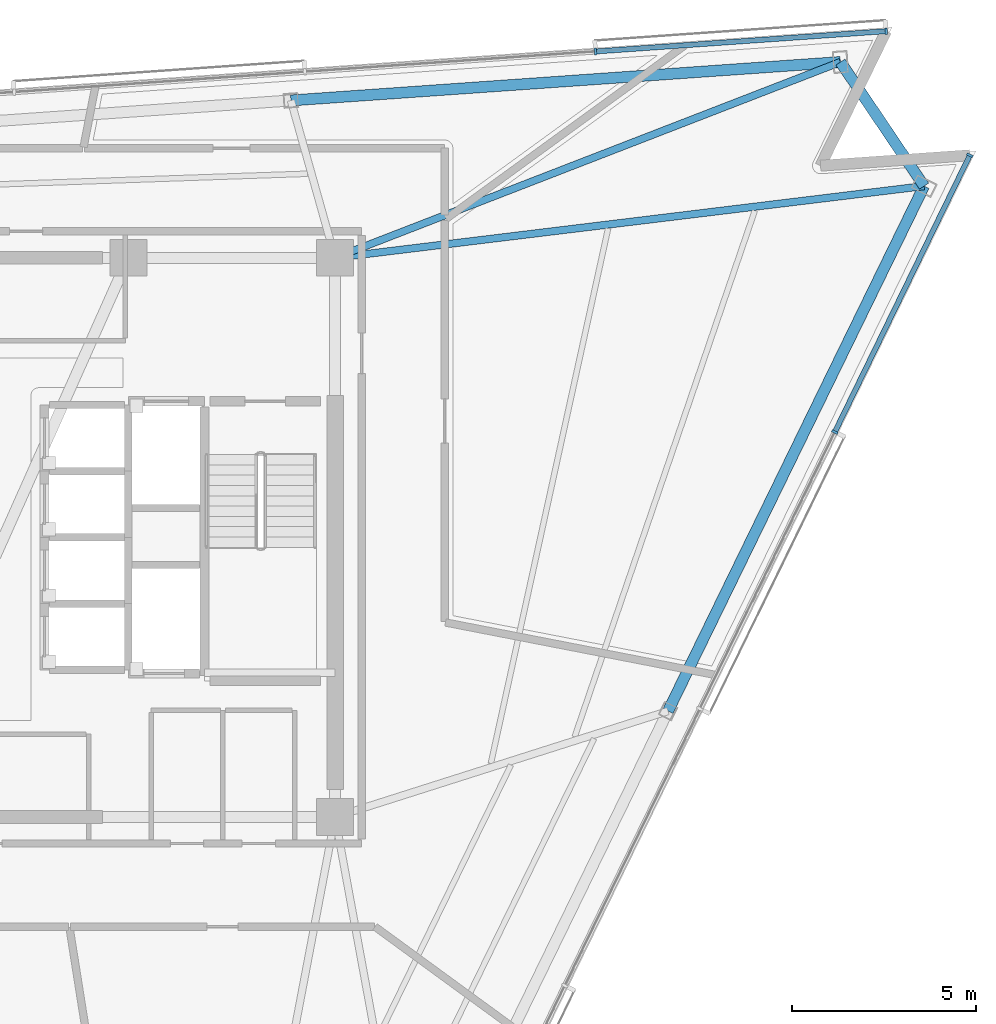
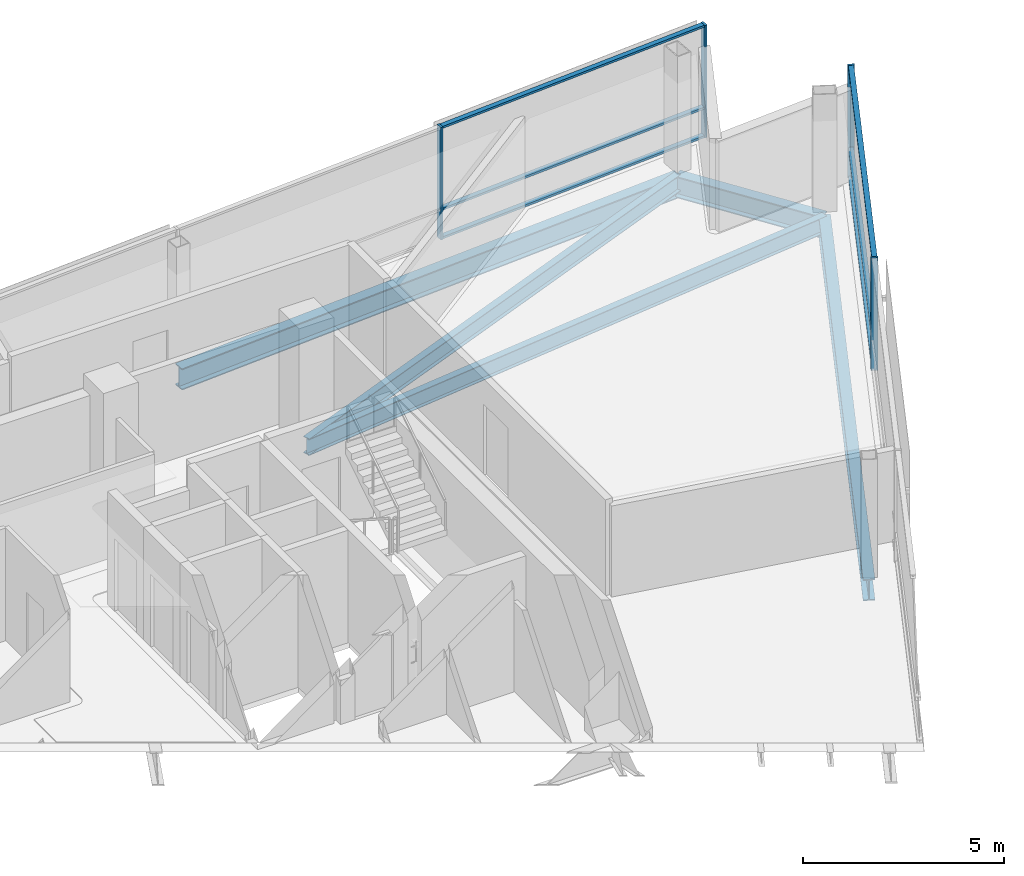
# One storey, part 7 of 15: 10 members, 5 beams, 2 elements without a shape of their own.
"""IFC4 building model written with IfcOpenShell, lengths in metres."""

import ifcopenshell
import ifcopenshell.guid

model = None  # the IFC model being written
_history = None  # IfcOwnerHistory: only IFC2X3 demands one
_inside = {}  # id of a spatial element -> (the spatial element, [elements in it])
_under = {}  # id of a project, library or spatial element -> (it, [spatial elements below it])
_declared = {}  # id of a project -> (the project, [libraries it declares])
_typed = {}  # id of a type object -> (the type object, [elements of that type])
_made_of = {}  # id of a material, layer set ... -> (it, [elements and type objects made of it])


def new_model(schema):
    """Start an empty IFC model of exactly this schema.

    Asked for "IFC4X3", IfcOpenShell would pick the latest addendum, in which some entities
    have other attributes; the version numbers below select the first issue.
    IFC2X3 requires an IfcOwnerHistory on every rooted entity: one is made here for all.
    """
    global model, _history
    if schema == "IFC4X3":
        model = ifcopenshell.file(schema_version=(4, 3, 0, 0))
    else:
        model = ifcopenshell.file(schema=schema)
    _inside.clear()
    _under.clear()
    _declared.clear()
    _typed.clear()
    _made_of.clear()
    _history = None
    if model.schema == "IFC2X3":
        org = make("IfcOrganization", Name="unknown")
        user = make(
            "IfcPersonAndOrganization",
            ThePerson=make("IfcPerson", FamilyName="unknown"),
            TheOrganization=org,
        )
        app = make(
            "IfcApplication",
            ApplicationDeveloper=org,
            Version="unknown",
            ApplicationFullName="unknown",
            ApplicationIdentifier="unknown",
        )
        _history = make(
            "IfcOwnerHistory",
            OwningUser=user,
            OwningApplication=app,
            ChangeAction="ADDED",
            CreationDate=0,
        )
    return model


def make(cls, **values):
    """One entity of the class cls with the attributes given. An attribute that is None is left unset."""
    return model.create_entity(
        cls, **{name: value for name, value in values.items() if value is not None}
    )


def rooted(cls, **values):
    """An entity with a GlobalId (a new one), such as an element, a storey or a relation."""
    return make(cls, GlobalId=ifcopenshell.guid.new(), OwnerHistory=_history, **values)


def si_unit(unit_type, name, prefix=None):
    """IfcSIUnit, for example si_unit("LENGTHUNIT", "METRE", prefix="MILLI")."""
    return make("IfcSIUnit", UnitType=unit_type, Prefix=prefix, Name=name)


def assignment(units):
    """IfcUnitAssignment: the units of a project."""
    return None if units is None else make("IfcUnitAssignment", Units=units)


def point(xyz):
    """IfcCartesianPoint."""
    return None if xyz is None else make("IfcCartesianPoint", Coordinates=xyz)


def direction(xyz):
    """IfcDirection."""
    return None if xyz is None else make("IfcDirection", DirectionRatios=xyz)


def frame(location, z_axis=None, x_axis=None):
    """IfcAxis2Placement3D, a coordinate frame: its origin and axes. An axis left out is left unset."""
    return make(
        "IfcAxis2Placement3D",
        Location=point(location),
        Axis=direction(z_axis),
        RefDirection=direction(x_axis),
    )


def frame_2d(location, x_axis=None):
    """IfcAxis2Placement2D, a coordinate frame in the plane: its origin and x axis."""
    return make(
        "IfcAxis2Placement2D", Location=point(location), RefDirection=direction(x_axis)
    )


def origin():
    """The frame at (0, 0, 0) with its axes left unset."""
    return frame((0.0, 0.0, 0.0))


def origin_2d():
    """The frame at (0, 0) in the plane with its x axis left unset."""
    return frame_2d((0.0, 0.0))


def place(relative_to, where):
    """IfcLocalPlacement: puts the frame where relative to a parent placement (None: the world)."""
    return make(
        "IfcLocalPlacement", PlacementRelTo=relative_to, RelativePlacement=where
    )


def context(
    kind, dimensions, precision=None, world=None, true_north=None, identifier=None
):
    """IfcGeometricRepresentationContext, for example the 3D "Model" context."""
    return make(
        "IfcGeometricRepresentationContext",
        ContextIdentifier=identifier,
        ContextType=kind,
        CoordinateSpaceDimension=dimensions,
        Precision=precision,
        WorldCoordinateSystem=world,
        TrueNorth=true_north,
    )


def subcontext(parent, identifier, kind, view, scale=None):
    """IfcGeometricRepresentationSubContext, for example "Body" below "Model"."""
    return make(
        "IfcGeometricRepresentationSubContext",
        ContextIdentifier=identifier,
        ContextType=kind,
        ParentContext=parent,
        TargetScale=scale,
        TargetView=view,
    )


def project(units=None, contexts=None):
    """IfcProject with its units and contexts."""
    return rooted(
        "IfcProject",
        Name="project",
        RepresentationContexts=contexts,
        UnitsInContext=assignment(units),
    )


def spatial(cls, under=None, at=None, **own):
    """A site, building, storey or space (cls), placed at a placement, below another one or the project."""
    s = rooted(cls, ObjectPlacement=at, **own)
    if under is not None:
        _under.setdefault(under.id(), (under, []))[1].append(s)
    return s


def profile(cls, at=None, kind="AREA", **sizes):
    """A parametric profile (cls). Its sizes go by their IFC names, for example OverallWidth=200.0."""
    return make(cls, ProfileType=kind, Position=at, **sizes)


def rectangle(**sizes):
    """IfcRectangleProfileDef."""
    return profile("IfcRectangleProfileDef", **sizes)


def i_section(**sizes):
    """IfcIShapeProfileDef."""
    return profile("IfcIShapeProfileDef", **sizes)


def extrude(swept, where, along, depth):
    """IfcExtrudedAreaSolid: the profile swept, set in the frame where, extruded along a direction by depth."""
    return make(
        "IfcExtrudedAreaSolid",
        SweptArea=swept,
        Position=where,
        ExtrudedDirection=direction(along),
        Depth=depth,
    )


def shape(context_of_items, identifier, shape_type, items):
    """IfcShapeRepresentation: the items that make up one representation, for example the "Body"."""
    return make(
        "IfcShapeRepresentation",
        ContextOfItems=context_of_items,
        RepresentationIdentifier=identifier,
        RepresentationType=shape_type,
        Items=items,
    )


def material(Name=None, Category=None):
    """IfcMaterial."""
    return make("IfcMaterial", Name=Name, Category=Category)


def layer(
    of_material, thickness, ventilated=None, Name=None, Category=None, Priority=None
):
    """IfcMaterialLayer: one layer of a wall or slab, of a material (None: an air gap)."""
    return make(
        "IfcMaterialLayer",
        Material=of_material,
        LayerThickness=thickness,
        IsVentilated=ventilated,
        Name=Name,
        Category=Category,
        Priority=Priority,
    )


def layer_set(layers, Name=None):
    """IfcMaterialLayerSet."""
    return make("IfcMaterialLayerSet", MaterialLayers=layers, LayerSetName=Name)


def material_profile(
    of_material, cross_section, Name=None, Category=None, Priority=None
):
    """IfcMaterialProfile: a cross section and its material."""
    return make(
        "IfcMaterialProfile",
        Name=Name,
        Material=of_material,
        Profile=cross_section,
        Priority=Priority,
        Category=Category,
    )


def profile_set(profiles, Name=None, composite=None):
    """IfcMaterialProfileSet."""
    return make(
        "IfcMaterialProfileSet",
        Name=Name,
        MaterialProfiles=profiles,
        CompositeProfile=composite,
    )


def made_of(thing, what):
    """Note that an element or type object is made of a material, layer set ...; save() writes the relation."""
    if what is not None:
        _made_of.setdefault(what.id(), (what, []))[1].append(thing)
    return thing


def type_object(cls, material=None, **own):
    """A type object (cls), such as IfcWallType, which elements share."""
    return made_of(rooted(cls, **own), material)


def element(
    cls,
    number,
    at=None,
    inside=None,
    cuts=None,
    type_object=None,
    material=None,
    context=None,
    identifier="Body",
    shape_type=None,
    held_by="IfcProductDefinitionShape",
    body=None,
    shapes=None,
    **own,
):
    """One element of the class cls, such as IfcWall. Its Tag is "e" and its number.

    at: its placement. inside: the storey or other place that contains it. cuts: it is an
    opening in that element (IfcRelVoidsElement). A single representation is given by context,
    identifier, shape_type and body (its items); several are given by shapes. held_by: the class
    of the entity that holds the representations. save() writes the other relations.
    """
    e = rooted(cls, Tag="e%d" % number, ObjectPlacement=at, **own)
    if body is not None:
        shapes = [shape(context, identifier, shape_type, body)]
    if shapes is not None:
        e.Representation = make(held_by, Representations=shapes)
    if inside is not None:
        _inside.setdefault(inside.id(), (inside, []))[1].append(e)
    if cuts is not None:
        rooted(
            "IfcRelVoidsElement", RelatingBuildingElement=cuts, RelatedOpeningElement=e
        )
    if type_object is not None:
        _typed.setdefault(type_object.id(), (type_object, []))[1].append(e)
    return made_of(e, material)


def aggregate(whole, parts):
    """IfcRelAggregates: a whole, such as a stair, and the parts it consists of."""
    return rooted("IfcRelAggregates", RelatingObject=whole, RelatedObjects=parts)


def save(model, path):
    """Write the relations noted so far, then the file.

    IfcRelAggregates (storeys below a building ...), IfcRelContainedInSpatialStructure (elements
    in a storey), IfcRelDefinesByType, IfcRelAssociatesMaterial and IfcRelDeclares: one each for
    every whole, place, type object, material and project.
    """
    for whole, parts in _under.values():
        aggregate(whole, parts)
    for where, things in _inside.values():
        rooted(
            "IfcRelContainedInSpatialStructure",
            RelatedElements=things,
            RelatingStructure=where,
        )
    for kind, things in _typed.values():
        rooted("IfcRelDefinesByType", RelatedObjects=things, RelatingType=kind)
    for what, things in _made_of.values():
        rooted("IfcRelAssociatesMaterial", RelatedObjects=things, RelatingMaterial=what)
    for by, libraries in _declared.values():
        rooted("IfcRelDeclares", RelatingContext=by, RelatedDefinitions=libraries)
    model.write(path)


model = new_model("IFC4")

# Units and contexts
model_context = context("Model", 3, precision=1e-05, world=origin(), true_north=direction((0.0, 1.0)))
body_context = subcontext(model_context, "Body", "Model", "MODEL_VIEW")
ifc_project = project(units=[si_unit("LENGTHUNIT", "METRE"), si_unit("AREAUNIT", "SQUARE_METRE"), si_unit("VOLUMEUNIT", "CUBIC_METRE"), si_unit("PLANEANGLEUNIT", "RADIAN"), si_unit("MASSUNIT", "GRAM", prefix="KILO")], contexts=[model_context])

# Site, building, storey
site_placement = place(None, origin())
site = spatial("IfcSite", under=ifc_project, at=site_placement, CompositionType="ELEMENT")
building_placement = place(site_placement, origin())
building = spatial("IfcBuilding", under=site, at=building_placement, Name="Tharavind Bronze Gate", CompositionType="ELEMENT")
storey_placement = place(building_placement, frame((0.0, 0.0, 267.800048828125)))
storey = spatial("IfcBuildingStorey", under=building, at=storey_placement, Name="L69", CompositionType="ELEMENT", Elevation=267.800048828125)

# Curtain wall, members
ifc_material_1 = material(Name="Anodised Bronze Aluminium", Category="aluminium")
ifc_layer = layer(ifc_material_1, 0.219970703125)
ifc_layer_set = layer_set([ifc_layer], Name="Anodised Bronze Aluminium")
curtain_wall_type = type_object("IfcCurtainWallType", Name="UNITISED CURTAIN WALL UPPER OFFICE", PredefinedType="USERDEFINED", material=ifc_layer_set)
curtain_wall_1_placement = place(storey_placement, origin())
curtain_wall_1 = element("IfcCurtainWall", 1, at=curtain_wall_1_placement, inside=storey, type_object=curtain_wall_type, Name="L69 unitised curtain wall upper office CW-L69-S2", ObjectType="UNITISED CURTAIN WALL", PredefinedType="USERDEFINED")
member_type_1 = type_object("IfcMemberType", Name="CURTAIN WALL BRONZE MULLION 65X180", PredefinedType="MULLION", material=ifc_material_1)
member_1_placement = place(storey_placement, frame((22.485107421875, 2.863525390625, 0.0), z_axis=(0.0, 0.0, 1.0), x_axis=(0.43837271548, 0.898793281196, 0.0)))
member_1 = element("IfcMember", 2, at=member_1_placement, type_object=member_type_1, Name="CW-L69-S2 mullion 6", PredefinedType="MULLION", context=body_context, shape_type="SweptSolid", body=[
    extrude(rectangle(XDim=0.06494140625, YDim=0.179931640625, at=origin_2d()), origin(), (0.0, 0.0, 1.0), 3.419921875),
])
member_2_placement = place(storey_placement, frame((26.1552734375, 10.388427734375, 0.0), z_axis=(0.0, 0.0, 1.0), x_axis=(0.43837271548, 0.898793281196, 0.0)))
member_2 = element("IfcMember", 3, at=member_2_placement, type_object=member_type_1, Name="CW-L69-S2 mullion 7", PredefinedType="MULLION", context=body_context, shape_type="SweptSolid", body=[
    extrude(rectangle(XDim=0.06494140625, YDim=0.179931640625, at=origin_2d()), origin(), (0.0, 0.0, 1.0), 3.419921875),
])

curtain_wall_2_placement = place(storey_placement, origin())
curtain_wall_2 = element("IfcCurtainWall", 4, at=curtain_wall_2_placement, inside=storey, type_object=curtain_wall_type, Name="L69 unitised curtain wall upper office CW-L69-S3", ObjectType="UNITISED CURTAIN WALL", PredefinedType="USERDEFINED")
member_3_placement = place(storey_placement, frame((23.880615234375, 13.760986328125, 0.0), z_axis=(0.0, 0.0, 1.0), x_axis=(-0.997563806758, -0.069759955899, 0.0)))
member_3 = element("IfcMember", 5, at=member_3_placement, type_object=member_type_1, Name="CW-L69-S3 mullion 1", PredefinedType="MULLION", context=body_context, shape_type="SweptSolid", body=[
    extrude(rectangle(XDim=0.06494140625, YDim=0.179931640625, at=origin_2d()), origin(), (0.0, 0.0, 1.0), 3.419921875),
])
member_4_placement = place(storey_placement, frame((15.9794921875, 13.20849609375, 0.0), z_axis=(0.0, 0.0, 1.0), x_axis=(-0.997563806758, -0.069759955899, 0.0)))
member_4 = element("IfcMember", 6, at=member_4_placement, type_object=member_type_1, Name="CW-L69-S3 mullion 2", PredefinedType="MULLION", context=body_context, shape_type="SweptSolid", body=[
    extrude(rectangle(XDim=0.06494140625, YDim=0.179931640625, at=origin_2d()), origin(), (0.0, 0.0, 1.0), 3.419921875),
])

# Member
member_type_2 = type_object("IfcMemberType", Name="CURTAIN WALL BRONZE TRANSOM 65X140", PredefinedType="USERDEFINED", material=ifc_material_1)
member_5_placement = place(storey_placement, frame((24.3203125, 6.6259765625, 0.0), z_axis=(0.0, 0.0, 1.0), x_axis=(0.43837271548, 0.898793281196, 0.0)))
member_5 = element("IfcMember", 7, at=member_5_placement, type_object=member_type_2, Name="CW-L69-S2 transom TB6", ObjectType="TRANSOM", PredefinedType="USERDEFINED", context=body_context, shape_type="SweptSolid", body=[
    extrude(rectangle(XDim=8.3193359375, YDim=0.139892578125, at=origin_2d()), origin(), (0.0, 0.0, 1.0), 0.06494140625),
])

member_6_placement = place(storey_placement, frame((24.3203125, 6.6259765625, 0.867431640625), z_axis=(0.0, 0.0, 1.0), x_axis=(0.43837271548, 0.898793281196, 0.0)))
member_6 = element("IfcMember", 8, at=member_6_placement, type_object=member_type_2, Name="CW-L69-S2 transom TS6", ObjectType="TRANSOM", PredefinedType="USERDEFINED", context=body_context, shape_type="SweptSolid", body=[
    extrude(rectangle(XDim=8.3193359375, YDim=0.139892578125, at=origin_2d()), origin(), (0.0, 0.0, 1.0), 0.06494140625),
])

member_7_placement = place(storey_placement, frame((24.3203125, 6.6259765625, 3.35498046875), z_axis=(0.0, 0.0, 1.0), x_axis=(0.43837271548, 0.898793281196, 0.0)))
member_7 = element("IfcMember", 9, at=member_7_placement, type_object=member_type_2, Name="CW-L69-S2 transom TT6", ObjectType="TRANSOM", PredefinedType="USERDEFINED", context=body_context, shape_type="SweptSolid", body=[
    extrude(rectangle(XDim=8.3193359375, YDim=0.139892578125, at=origin_2d()), origin(), (0.0, 0.0, 1.0), 0.06494140625),
])

aggregate(curtain_wall_1, [member_1, member_2, member_5, member_6, member_7])

member_8_placement = place(storey_placement, frame((19.929931640625, 13.48486328125, 0.0), z_axis=(0.0, 0.0, 1.0), x_axis=(-0.997563806758, -0.069759955899, 0.0)))
member_8 = element("IfcMember", 10, at=member_8_placement, type_object=member_type_2, Name="CW-L69-S3 transom TB1", ObjectType="TRANSOM", PredefinedType="USERDEFINED", context=body_context, shape_type="SweptSolid", body=[
    extrude(rectangle(XDim=7.8671875, YDim=0.139892578125, at=origin_2d()), origin(), (0.0, 0.0, 1.0), 0.06494140625),
])

member_9_placement = place(storey_placement, frame((19.929931640625, 13.48486328125, 0.867431640625), z_axis=(0.0, 0.0, 1.0), x_axis=(-0.997563806758, -0.069759955899, 0.0)))
member_9 = element("IfcMember", 11, at=member_9_placement, type_object=member_type_2, Name="CW-L69-S3 transom TS1", ObjectType="TRANSOM", PredefinedType="USERDEFINED", context=body_context, shape_type="SweptSolid", body=[
    extrude(rectangle(XDim=7.8671875, YDim=0.139892578125, at=origin_2d()), origin(), (0.0, 0.0, 1.0), 0.06494140625),
])

member_10_placement = place(storey_placement, frame((19.929931640625, 13.48486328125, 3.35498046875), z_axis=(0.0, 0.0, 1.0), x_axis=(-0.997563806758, -0.069759955899, 0.0)))
member_10 = element("IfcMember", 12, at=member_10_placement, type_object=member_type_2, Name="CW-L69-S3 transom TT1", ObjectType="TRANSOM", PredefinedType="USERDEFINED", context=body_context, shape_type="SweptSolid", body=[
    extrude(rectangle(XDim=7.8671875, YDim=0.139892578125, at=origin_2d()), origin(), (0.0, 0.0, 1.0), 0.06494140625),
])

aggregate(curtain_wall_2, [member_3, member_4, member_8, member_9, member_10])

# Beams
ifc_material_2 = material(Name="Steel S355", Category="steel")
ifc_material_profile_1 = material_profile(ifc_material_2, i_section(OverallWidth=0.300048828125, OverallDepth=0.64990234375, WebThickness=0.01611328125, FlangeThickness=0.031005859375, at=origin_2d()), Name="HE650B")
ifc_profile_set_1 = profile_set([ifc_material_profile_1], Name="Steel S355")
beam_type_1 = type_object("IfcBeamType", Name="PRIMARY GIRDER HE650B", PredefinedType="USERDEFINED", material=ifc_profile_set_1)
beam_1_placement = place(storey_placement, frame((17.950927734375, -4.721923828125, -0.505126953125), z_axis=(0.438366378116, 0.898796372121, 0.0), x_axis=(-0.898796372121, 0.438366378116, 0.0)))
element("IfcBeam", 13, at=beam_1_placement, inside=storey, type_object=beam_type_1, Name="L69 primary girder he650b BM-L69-PRG07", ObjectType="GIRDER", PredefinedType="USERDEFINED", context=body_context, shape_type="SweptSolid", body=[
    extrude(i_section(OverallWidth=0.300048828125, OverallDepth=0.64990234375, WebThickness=0.01611328125, FlangeThickness=0.031005859375, at=origin_2d()), origin(), (0.0, 0.0, 1.0), 15.878662109375),
])
beam_2_placement = place(storey_placement, frame((24.91162109375, 9.5498046875, -0.505126953125), z_axis=(-0.559165651986, 0.829055953262, 0.0), x_axis=(-0.829055953262, -0.559165651986, 0.0)))
element("IfcBeam", 14, at=beam_2_placement, inside=storey, type_object=beam_type_1, Name="L69 primary girder he650b BM-L69-PRG08", ObjectType="GIRDER", PredefinedType="USERDEFINED", context=body_context, shape_type="SweptSolid", body=[
    extrude(i_section(OverallWidth=0.300048828125, OverallDepth=0.64990234375, WebThickness=0.01611328125, FlangeThickness=0.031005859375, at=origin_2d()), origin(), (0.0, 0.0, 1.0), 4.06787109375),
])
beam_3_placement = place(storey_placement, frame((22.636962890625, 12.92236328125, -0.505126953125), z_axis=(-0.997563609873, -0.069762771286, 0.0), x_axis=(0.069762771286, -0.997563609873, 0.0)))
element("IfcBeam", 15, at=beam_3_placement, inside=storey, type_object=beam_type_1, Name="L69 primary girder he650b BM-L69-PRG09", ObjectType="GIRDER", PredefinedType="USERDEFINED", context=body_context, shape_type="SweptSolid", body=[
    extrude(i_section(OverallWidth=0.300048828125, OverallDepth=0.64990234375, WebThickness=0.01611328125, FlangeThickness=0.031005859375, at=origin_2d()), origin(), (0.0, 0.0, 1.0), 14.974609375),
])
ifc_material_profile_2 = material_profile(ifc_material_2, i_section(OverallWidth=0.199951171875, OverallDepth=0.5, WebThickness=0.01025390625, FlangeThickness=0.01611328125, at=origin_2d()), Name="IPE500")
ifc_profile_set_2 = profile_set([ifc_material_profile_2], Name="Steel S355")
beam_type_2 = type_object("IfcBeamType", Name="PRIMARY GIRDER IPE500", PredefinedType="USERDEFINED", material=ifc_profile_set_2)
beam_4_placement = place(storey_placement, frame((24.91162109375, 9.5498046875, -0.429931640625), z_axis=(-0.992667775401, -0.120874677579, 0.0), x_axis=(0.120874677579, -0.992667775401, 0.0)))
element("IfcBeam", 16, at=beam_4_placement, inside=storey, type_object=beam_type_2, Name="L69 primary girder ipe500 BM-L69-RAD08", ObjectType="GIRDER", PredefinedType="USERDEFINED", context=body_context, shape_type="SweptSolid", body=[
    extrude(i_section(OverallWidth=0.199951171875, OverallDepth=0.5, WebThickness=0.01025390625, FlangeThickness=0.01611328125, at=origin_2d()), origin(), (0.0, 0.0, 1.0), 16.1298828125),
])
beam_5_placement = place(storey_placement, frame((22.636962890625, 12.92236328125, -0.429931640625), z_axis=(-0.932460796057, -0.361271177672, 0.0), x_axis=(0.361271177672, -0.932460796057, 0.0)))
element("IfcBeam", 17, at=beam_5_placement, inside=storey, type_object=beam_type_2, Name="L69 primary girder ipe500 BM-L69-RAD09", ObjectType="GIRDER", PredefinedType="USERDEFINED", context=body_context, shape_type="SweptSolid", body=[
    extrude(i_section(OverallWidth=0.199951171875, OverallDepth=0.5, WebThickness=0.01025390625, FlangeThickness=0.01611328125, at=origin_2d()), origin(), (0.0, 0.0, 1.0), 14.73193359375),
])

save(model, "model.ifc")
